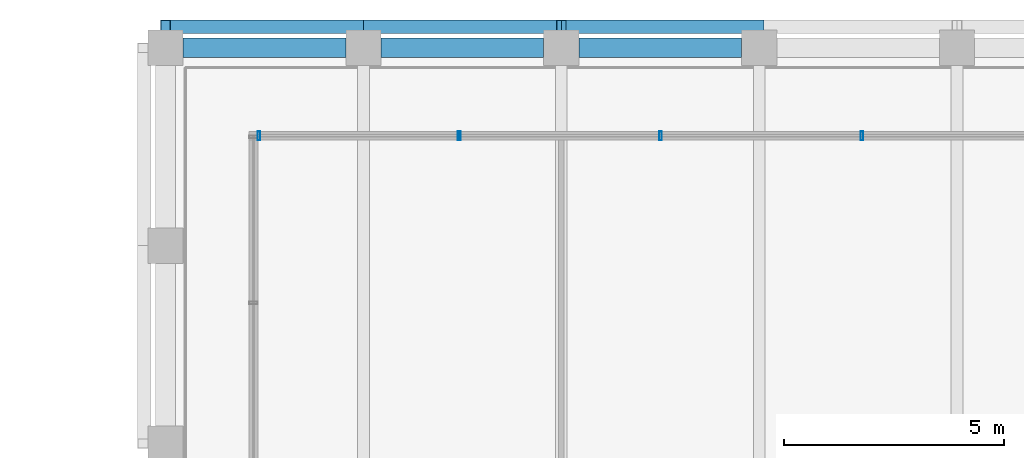
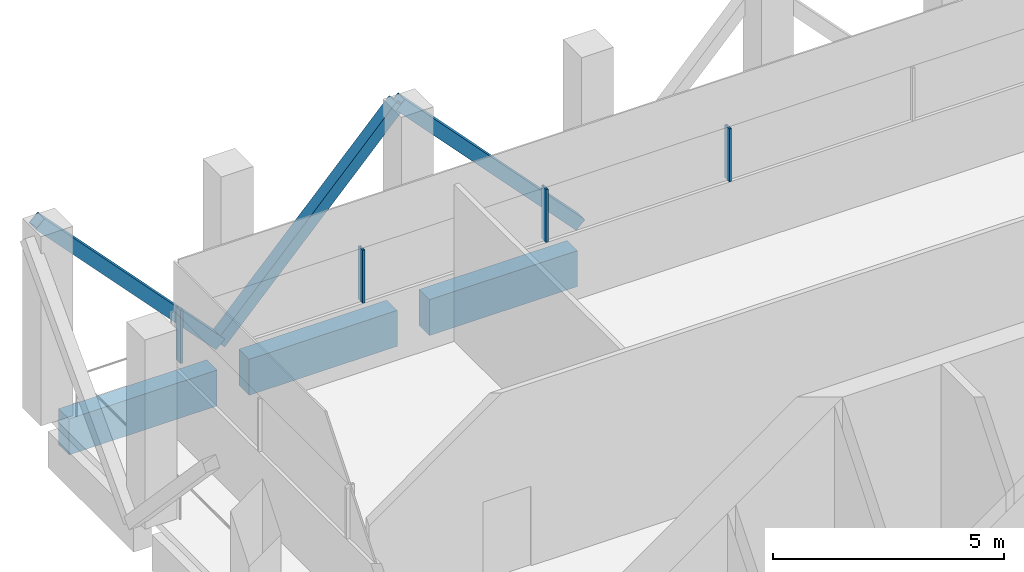
# One storey, part 14 of 21: 7 members, 3 beams, 1 element without a shape of its own.
"""IFC4 building model written with IfcOpenShell, lengths in metres."""

import ifcopenshell
import ifcopenshell.guid

model = None  # the IFC model being written
_history = None  # IfcOwnerHistory: only IFC2X3 demands one
_inside = {}  # id of a spatial element -> (the spatial element, [elements in it])
_under = {}  # id of a project, library or spatial element -> (it, [spatial elements below it])
_declared = {}  # id of a project -> (the project, [libraries it declares])
_typed = {}  # id of a type object -> (the type object, [elements of that type])
_made_of = {}  # id of a material, layer set ... -> (it, [elements and type objects made of it])


def new_model(schema):
    """Start an empty IFC model of exactly this schema.

    Asked for "IFC4X3", IfcOpenShell would pick the latest addendum, in which some entities
    have other attributes; the version numbers below select the first issue.
    IFC2X3 requires an IfcOwnerHistory on every rooted entity: one is made here for all.
    """
    global model, _history
    if schema == "IFC4X3":
        model = ifcopenshell.file(schema_version=(4, 3, 0, 0))
    else:
        model = ifcopenshell.file(schema=schema)
    _inside.clear()
    _under.clear()
    _declared.clear()
    _typed.clear()
    _made_of.clear()
    _history = None
    if model.schema == "IFC2X3":
        org = make("IfcOrganization", Name="unknown")
        user = make(
            "IfcPersonAndOrganization",
            ThePerson=make("IfcPerson", FamilyName="unknown"),
            TheOrganization=org,
        )
        app = make(
            "IfcApplication",
            ApplicationDeveloper=org,
            Version="unknown",
            ApplicationFullName="unknown",
            ApplicationIdentifier="unknown",
        )
        _history = make(
            "IfcOwnerHistory",
            OwningUser=user,
            OwningApplication=app,
            ChangeAction="ADDED",
            CreationDate=0,
        )
    return model


def make(cls, **values):
    """One entity of the class cls with the attributes given. An attribute that is None is left unset."""
    return model.create_entity(
        cls, **{name: value for name, value in values.items() if value is not None}
    )


def rooted(cls, **values):
    """An entity with a GlobalId (a new one), such as an element, a storey or a relation."""
    return make(cls, GlobalId=ifcopenshell.guid.new(), OwnerHistory=_history, **values)


def si_unit(unit_type, name, prefix=None):
    """IfcSIUnit, for example si_unit("LENGTHUNIT", "METRE", prefix="MILLI")."""
    return make("IfcSIUnit", UnitType=unit_type, Prefix=prefix, Name=name)


def assignment(units):
    """IfcUnitAssignment: the units of a project."""
    return None if units is None else make("IfcUnitAssignment", Units=units)


def point(xyz):
    """IfcCartesianPoint."""
    return None if xyz is None else make("IfcCartesianPoint", Coordinates=xyz)


def direction(xyz):
    """IfcDirection."""
    return None if xyz is None else make("IfcDirection", DirectionRatios=xyz)


def frame(location, z_axis=None, x_axis=None):
    """IfcAxis2Placement3D, a coordinate frame: its origin and axes. An axis left out is left unset."""
    return make(
        "IfcAxis2Placement3D",
        Location=point(location),
        Axis=direction(z_axis),
        RefDirection=direction(x_axis),
    )


def frame_2d(location, x_axis=None):
    """IfcAxis2Placement2D, a coordinate frame in the plane: its origin and x axis."""
    return make(
        "IfcAxis2Placement2D", Location=point(location), RefDirection=direction(x_axis)
    )


def origin():
    """The frame at (0, 0, 0) with its axes left unset."""
    return frame((0.0, 0.0, 0.0))


def origin_2d():
    """The frame at (0, 0) in the plane with its x axis left unset."""
    return frame_2d((0.0, 0.0))


def place(relative_to, where):
    """IfcLocalPlacement: puts the frame where relative to a parent placement (None: the world)."""
    return make(
        "IfcLocalPlacement", PlacementRelTo=relative_to, RelativePlacement=where
    )


def context(
    kind, dimensions, precision=None, world=None, true_north=None, identifier=None
):
    """IfcGeometricRepresentationContext, for example the 3D "Model" context."""
    return make(
        "IfcGeometricRepresentationContext",
        ContextIdentifier=identifier,
        ContextType=kind,
        CoordinateSpaceDimension=dimensions,
        Precision=precision,
        WorldCoordinateSystem=world,
        TrueNorth=true_north,
    )


def subcontext(parent, identifier, kind, view, scale=None):
    """IfcGeometricRepresentationSubContext, for example "Body" below "Model"."""
    return make(
        "IfcGeometricRepresentationSubContext",
        ContextIdentifier=identifier,
        ContextType=kind,
        ParentContext=parent,
        TargetScale=scale,
        TargetView=view,
    )


def project(units=None, contexts=None):
    """IfcProject with its units and contexts."""
    return rooted(
        "IfcProject",
        Name="project",
        RepresentationContexts=contexts,
        UnitsInContext=assignment(units),
    )


def spatial(cls, under=None, at=None, **own):
    """A site, building, storey or space (cls), placed at a placement, below another one or the project."""
    s = rooted(cls, ObjectPlacement=at, **own)
    if under is not None:
        _under.setdefault(under.id(), (under, []))[1].append(s)
    return s


def profile(cls, at=None, kind="AREA", **sizes):
    """A parametric profile (cls). Its sizes go by their IFC names, for example OverallWidth=200.0."""
    return make(cls, ProfileType=kind, Position=at, **sizes)


def rectangle(**sizes):
    """IfcRectangleProfileDef."""
    return profile("IfcRectangleProfileDef", **sizes)


def hollow_rectangle(**sizes):
    """IfcRectangleHollowProfileDef."""
    return profile("IfcRectangleHollowProfileDef", **sizes)


def extrude(swept, where, along, depth):
    """IfcExtrudedAreaSolid: the profile swept, set in the frame where, extruded along a direction by depth."""
    return make(
        "IfcExtrudedAreaSolid",
        SweptArea=swept,
        Position=where,
        ExtrudedDirection=direction(along),
        Depth=depth,
    )


def shape(context_of_items, identifier, shape_type, items):
    """IfcShapeRepresentation: the items that make up one representation, for example the "Body"."""
    return make(
        "IfcShapeRepresentation",
        ContextOfItems=context_of_items,
        RepresentationIdentifier=identifier,
        RepresentationType=shape_type,
        Items=items,
    )


def material(Name=None, Category=None):
    """IfcMaterial."""
    return make("IfcMaterial", Name=Name, Category=Category)


def material_profile(
    of_material, cross_section, Name=None, Category=None, Priority=None
):
    """IfcMaterialProfile: a cross section and its material."""
    return make(
        "IfcMaterialProfile",
        Name=Name,
        Material=of_material,
        Profile=cross_section,
        Priority=Priority,
        Category=Category,
    )


def profile_set(profiles, Name=None, composite=None):
    """IfcMaterialProfileSet."""
    return make(
        "IfcMaterialProfileSet",
        Name=Name,
        MaterialProfiles=profiles,
        CompositeProfile=composite,
    )


def made_of(thing, what):
    """Note that an element or type object is made of a material, layer set ...; save() writes the relation."""
    if what is not None:
        _made_of.setdefault(what.id(), (what, []))[1].append(thing)
    return thing


def type_object(cls, material=None, **own):
    """A type object (cls), such as IfcWallType, which elements share."""
    return made_of(rooted(cls, **own), material)


def element(
    cls,
    number,
    at=None,
    inside=None,
    cuts=None,
    type_object=None,
    material=None,
    context=None,
    identifier="Body",
    shape_type=None,
    held_by="IfcProductDefinitionShape",
    body=None,
    shapes=None,
    **own,
):
    """One element of the class cls, such as IfcWall. Its Tag is "e" and its number.

    at: its placement. inside: the storey or other place that contains it. cuts: it is an
    opening in that element (IfcRelVoidsElement). A single representation is given by context,
    identifier, shape_type and body (its items); several are given by shapes. held_by: the class
    of the entity that holds the representations. save() writes the other relations.
    """
    e = rooted(cls, Tag="e%d" % number, ObjectPlacement=at, **own)
    if body is not None:
        shapes = [shape(context, identifier, shape_type, body)]
    if shapes is not None:
        e.Representation = make(held_by, Representations=shapes)
    if inside is not None:
        _inside.setdefault(inside.id(), (inside, []))[1].append(e)
    if cuts is not None:
        rooted(
            "IfcRelVoidsElement", RelatingBuildingElement=cuts, RelatedOpeningElement=e
        )
    if type_object is not None:
        _typed.setdefault(type_object.id(), (type_object, []))[1].append(e)
    return made_of(e, material)


def aggregate(whole, parts):
    """IfcRelAggregates: a whole, such as a stair, and the parts it consists of."""
    return rooted("IfcRelAggregates", RelatingObject=whole, RelatedObjects=parts)


def save(model, path):
    """Write the relations noted so far, then the file.

    IfcRelAggregates (storeys below a building ...), IfcRelContainedInSpatialStructure (elements
    in a storey), IfcRelDefinesByType, IfcRelAssociatesMaterial and IfcRelDeclares: one each for
    every whole, place, type object, material and project.
    """
    for whole, parts in _under.values():
        aggregate(whole, parts)
    for where, things in _inside.values():
        rooted(
            "IfcRelContainedInSpatialStructure",
            RelatedElements=things,
            RelatingStructure=where,
        )
    for kind, things in _typed.values():
        rooted("IfcRelDefinesByType", RelatedObjects=things, RelatingType=kind)
    for what, things in _made_of.values():
        rooted("IfcRelAssociatesMaterial", RelatedObjects=things, RelatingMaterial=what)
    for by, libraries in _declared.values():
        rooted("IfcRelDeclares", RelatingContext=by, RelatedDefinitions=libraries)
    model.write(path)


model = new_model("IFC4")

# Units and contexts
model_context = context("Model", 3, precision=1e-05, world=origin(), true_north=direction((0.0, 1.0)))
body_context = subcontext(model_context, "Body", "Model", "MODEL_VIEW")
ifc_project = project(units=[si_unit("LENGTHUNIT", "METRE"), si_unit("AREAUNIT", "SQUARE_METRE"), si_unit("VOLUMEUNIT", "CUBIC_METRE"), si_unit("PLANEANGLEUNIT", "RADIAN"), si_unit("MASSUNIT", "GRAM", prefix="KILO")], contexts=[model_context])

# Site, building, storey
site_placement = place(None, origin())
site = spatial("IfcSite", under=ifc_project, at=site_placement, CompositionType="ELEMENT")
building_placement = place(site_placement, origin())
building = spatial("IfcBuilding", under=site, at=building_placement, Name="Altepetl Exchange Towers", CompositionType="ELEMENT")
storey_placement = place(building_placement, frame((0.0, 0.0, 246.0)))
storey = spatial("IfcBuildingStorey", under=building, at=storey_placement, Name="L63 Refuge", CompositionType="ELEMENT", Elevation=246.0)

# Members
ifc_material_1 = material(Name="Steel S355", Category="steel")
ifc_material_profile_1 = material_profile(ifc_material_1, hollow_rectangle(XDim=0.304931640625, YDim=0.304931640625, WallThickness=0.01171875, at=origin_2d()), Name="HSS305X305X12.7")
ifc_profile_set_1 = profile_set([ifc_material_profile_1], Name="Steel S355")
member_type_1 = type_object("IfcMemberType", Name="Belt diagonal HSS305X305X12.7", PredefinedType="BRACE", material=ifc_profile_set_1)
for number, where, z_axis, x_axis, name in (
    (1, (54.0, 72.47998046875, 0.0), (-0.687744647911, 0.0, 0.725952683906), (0.0, -1.0, 0.0), "brc:A:L63:016"),
    (2, (49.5, 72.47998046875, 4.75), (-0.687744647911, 0.0, -0.725952683906), (0.0, -1.0, 0.0), "brc:A:L63:017"),
    (3, (45.0, 72.47998046875, 0.0), (-0.687744647911, 0.0, 0.725952683906), (0.0, -1.0, 0.0), "brc:A:L63:018"),
):
    element("IfcMember", number, at=place(storey_placement, frame(where, z_axis=z_axis, x_axis=x_axis)), inside=storey, type_object=member_type_1, Name=name, PredefinedType="BRACE", context=body_context, shape_type="SweptSolid", body=[
        extrude(hollow_rectangle(XDim=0.304931640625, YDim=0.304931640625, WallThickness=0.01171875, at=origin_2d()), origin(), (0.0, 0.0, 1.0), 6.543212890625),
    ])

# Curtain wall, members
ifc_material_2 = material(Name="Aluminium 6063-T6 glazing", Category="aluminium")
curtain_wall_type = type_object("IfcCurtainWallType", Name="Refuge slit glazing system", PredefinedType="NOTDEFINED", material=ifc_material_2)
curtain_wall_placement = place(storey_placement, origin())
curtain_wall = element("IfcCurtainWall", 4, at=curtain_wall_placement, inside=storey, type_object=curtain_wall_type, Name="CW3 run", PredefinedType="NOTDEFINED")
ifc_material_3 = material(Name="Aluminium 6063-T6", Category="aluminium")
ifc_material_profile_2 = material_profile(ifc_material_3, hollow_rectangle(XDim=0.06005859375, YDim=0.199951171875, WallThickness=0.0029296875, at=origin_2d()), Name="Mullion 60x200 aluminium")
ifc_profile_set_2 = profile_set([ifc_material_profile_2], Name="Aluminium 6063-T6")
member_type_2 = type_object("IfcMemberType", Name="Mullion 60x200 aluminium", PredefinedType="MULLION", material=ifc_profile_set_2)
member_1_placement = place(storey_placement, frame((56.340087890625, 70.0, 1.800048828125), z_axis=(0.0, 0.0, 1.0), x_axis=(-1.0, 0.0, 0.0)))
member_1 = element("IfcMember", 5, at=member_1_placement, type_object=member_type_2, Name="MU2 mullion", PredefinedType="MULLION", context=body_context, shape_type="SweptSolid", body=[
    extrude(hollow_rectangle(XDim=0.06005859375, YDim=0.199951171875, WallThickness=0.0029296875, at=origin_2d()), origin(), (0.0, 0.0, 1.0), 1.39990234375),
])
member_2_placement = place(storey_placement, frame((51.760009765625, 70.0, 1.800048828125), z_axis=(0.0, 0.0, 1.0), x_axis=(-1.0, 0.0, 0.0)))
member_2 = element("IfcMember", 6, at=member_2_placement, type_object=member_type_2, Name="MU2 mullion", PredefinedType="MULLION", context=body_context, shape_type="SweptSolid", body=[
    extrude(hollow_rectangle(XDim=0.06005859375, YDim=0.199951171875, WallThickness=0.0029296875, at=origin_2d()), origin(), (0.0, 0.0, 1.0), 1.39990234375),
])
member_3_placement = place(storey_placement, frame((47.179931640625, 70.0, 1.800048828125), z_axis=(0.0, 0.0, 1.0), x_axis=(-1.0, 0.0, 0.0)))
member_3 = element("IfcMember", 7, at=member_3_placement, type_object=member_type_2, Name="MU2 mullion", PredefinedType="MULLION", context=body_context, shape_type="SweptSolid", body=[
    extrude(hollow_rectangle(XDim=0.06005859375, YDim=0.199951171875, WallThickness=0.0029296875, at=origin_2d()), origin(), (0.0, 0.0, 1.0), 1.39990234375),
])
member_4_placement = place(storey_placement, frame((42.6298828125, 70.0, 1.800048828125), z_axis=(0.0, 0.0, 1.0), x_axis=(-1.0, 0.0, 0.0)))
member_4 = element("IfcMember", 8, at=member_4_placement, type_object=member_type_2, Name="MU2 mullion", PredefinedType="MULLION", context=body_context, shape_type="SweptSolid", body=[
    extrude(hollow_rectangle(XDim=0.06005859375, YDim=0.199951171875, WallThickness=0.0029296875, at=origin_2d()), origin(), (0.0, 0.0, 1.0), 1.39990234375),
])
aggregate(curtain_wall, [member_1, member_2, member_3, member_4])

# Beams
ifc_material_4 = material(Name="Concrete C50/60 precast with cantera rosa facing", Category="concrete")
ifc_material_profile_3 = material_profile(ifc_material_4, rectangle(XDim=0.449951171875, YDim=0.949951171875, at=origin_2d()), Name="450 x 950")
ifc_profile_set_3 = profile_set([ifc_material_profile_3], Name="Concrete C50/60 precast with cantera rosa facing")
beam_type = type_object("IfcBeamType", Name="Spandrel beam 450x950 cantera rosa", PredefinedType="SPANDREL", material=ifc_profile_set_3)
for number, where, z_axis, x_axis, name in (
    (9, (53.60009765625, 72.0, -0.675048828125), (-1.0, 0.0, 0.0), (0.0, -1.0, 0.0), "sp:A:L63:027"),
    (10, (49.10009765625, 72.0, -0.675048828125), (-1.0, 0.0, 0.0), (0.0, -1.0, 0.0), "sp:A:L63:028"),
    (11, (44.60009765625, 72.0, -0.675048828125), (-1.0, 0.0, 0.0), (0.0, -1.0, 0.0), "sp:A:L63:029"),
):
    element("IfcBeam", number, at=place(storey_placement, frame(where, z_axis=z_axis, x_axis=x_axis)), inside=storey, type_object=beam_type, Name=name, PredefinedType="SPANDREL", context=body_context, shape_type="SweptSolid", body=[
        extrude(rectangle(XDim=0.449951171875, YDim=0.949951171875, at=origin_2d()), origin(), (0.0, 0.0, 1.0), 3.7001953125),
    ])

save(model, "model.ifc")
